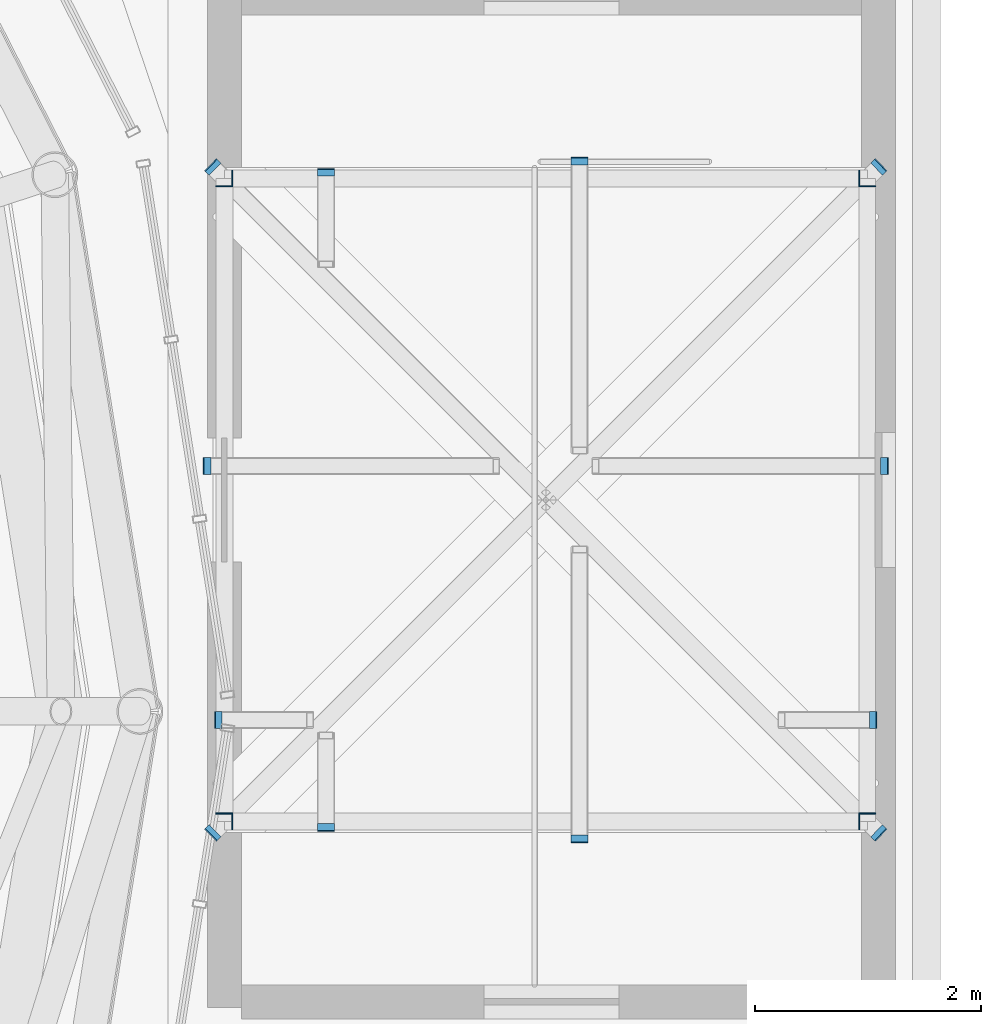
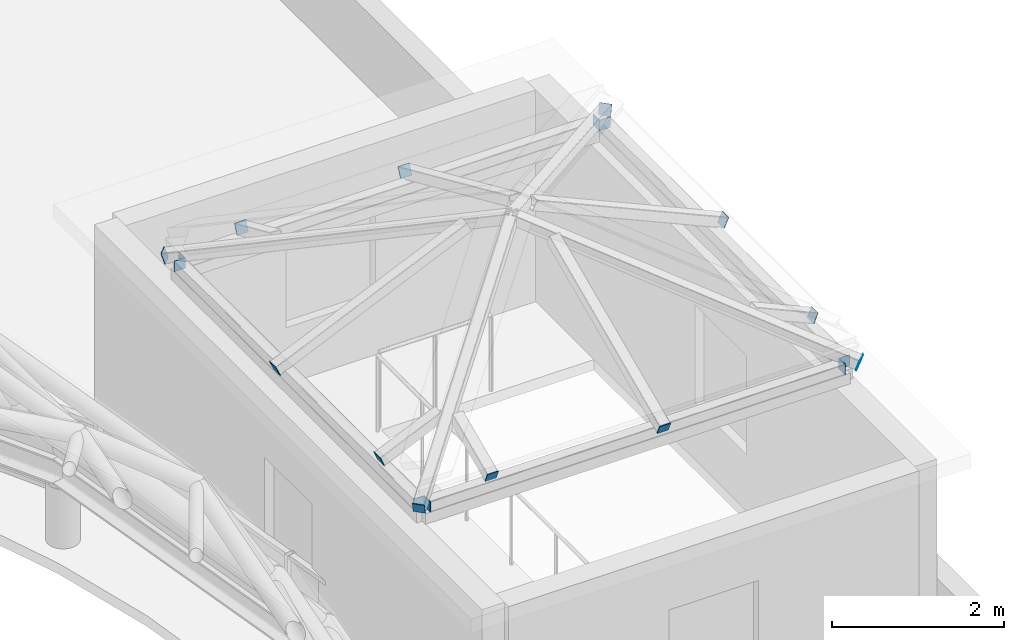
# One storey, part 64 of 69: 20 discrete accessories.
"""IFC4 building model written with IfcOpenShell, lengths in metres."""

from ifc_helpers import new_model, si_unit, direction, frame, origin, origin_2d, place, context, subcontext, project, spatial, rectangle, extrude, material, material_profile, profile_set, type_object, element, save


model = new_model("IFC4")

# Units and contexts
model_context = context("Model", 3, precision=1e-05, world=origin(), true_north=direction((0.0, 1.0)))
body_context = subcontext(model_context, "Body", "Model", "MODEL_VIEW")
ifc_project = project(units=[si_unit("LENGTHUNIT", "METRE"), si_unit("AREAUNIT", "SQUARE_METRE"), si_unit("VOLUMEUNIT", "CUBIC_METRE"), si_unit("PLANEANGLEUNIT", "RADIAN"), si_unit("MASSUNIT", "GRAM", prefix="KILO")], contexts=[model_context])

# Site, building, storey
site_placement = place(None, origin())
site = spatial("IfcSite", under=ifc_project, at=site_placement, CompositionType="ELEMENT")
building_placement = place(site_placement, origin())
building = spatial("IfcBuilding", under=site, at=building_placement, Name="Kallimachos Central Library", CompositionType="ELEMENT")
storey_placement = place(building_placement, frame((0.0, 0.0, 23.39990234375)))
storey = spatial("IfcBuildingStorey", under=building, at=storey_placement, Name="L05", CompositionType="ELEMENT", Elevation=23.39990234375)

# Discrete accessories
ifc_material = material(Name="Steel S355J2", Category="steel")
ifc_material_profile = material_profile(ifc_material, rectangle(XDim=0.14990234375, YDim=0.14990234375, at=origin_2d()), Name="End cap plate 10, 150x150")
ifc_profile_set = profile_set([ifc_material_profile], Name="Steel S355J2")
discrete_accessory_type = type_object("IfcDiscreteAccessoryType", Name="End cap plate 10, 150x150", PredefinedType="BRACKET", material=ifc_profile_set)
for number, where, z_axis, x_axis, name in (
    (1, (104.215087890625, 103.425048828125, 3.425048828125), (1.0, 0.0, 0.0), (0.0, 1.0, 0.0), "End cap plate"),
    (2, (109.77490234375, 103.425048828125, 3.425048828125), (1.0, 0.0, 0.0), (0.0, 1.0, 0.0), "End cap plate"),
    (3, (104.215087890625, 109.125, 3.425048828125), (1.0, 0.0, 0.0), (0.0, 1.0, 0.0), "End cap plate"),
    (4, (109.77490234375, 109.125, 3.425048828125), (1.0, 0.0, 0.0), (0.0, 1.0, 0.0), "End cap plate"),
    (5, (104.14990234375, 103.489990234375, 3.425048828125), (0.0, 1.0, 0.0), (-1.0, 0.0, 0.0), "End cap plate"),
    (6, (104.14990234375, 109.050048828125, 3.425048828125), (0.0, 1.0, 0.0), (-1.0, 0.0, 0.0), "End cap plate"),
    (7, (109.85009765625, 103.489990234375, 3.425048828125), (0.0, 1.0, 0.0), (-1.0, 0.0, 0.0), "End cap plate"),
    (8, (109.85009765625, 109.050048828125, 3.425048828125), (0.0, 1.0, 0.0), (-1.0, 0.0, 0.0), "End cap plate"),
):
    element("IfcDiscreteAccessory", number, at=place(storey_placement, frame(where, z_axis=z_axis, x_axis=x_axis)), inside=storey, type_object=discrete_accessory_type, Name=name, PredefinedType="BRACKET", context=body_context, shape_type="SweptSolid", body=[
        extrude(rectangle(XDim=0.14990234375, YDim=0.14990234375, at=origin_2d()), origin(), (0.0, 0.0, 1.0), 0.010009765625),
    ])
discrete_accessory_1_placement = place(storey_placement, frame((105.050048828125, 103.365966796875, 3.555908203125), z_axis=(0.0, 0.91785703596, 0.396911150685), x_axis=(-1.0, 0.0, 0.0)))
element("IfcDiscreteAccessory", 9, at=discrete_accessory_1_placement, inside=storey, type_object=discrete_accessory_type, Name="End cap plate", PredefinedType="BRACKET", context=body_context, shape_type="SweptSolid", body=[
    extrude(rectangle(XDim=0.14990234375, YDim=0.14990234375, at=origin_2d()), origin(), (0.0, 0.0, 1.0), 0.009765625),
])
discrete_accessory_2_placement = place(storey_placement, frame((107.300048828125, 103.265869140625, 3.51123046875), z_axis=(0.0, 0.908676843963, 0.417500171551), x_axis=(-1.0, 0.0, 0.0)))
element("IfcDiscreteAccessory", 10, at=discrete_accessory_2_placement, inside=storey, type_object=discrete_accessory_type, Name="End cap plate", PredefinedType="BRACKET", context=body_context, shape_type="SweptSolid", body=[
    extrude(rectangle(XDim=0.14990234375, YDim=0.14990234375, at=origin_2d()), origin(), (0.0, 0.0, 1.0), 0.010009765625),
])
discrete_accessory_3_placement = place(storey_placement, frame((105.050048828125, 109.18408203125, 3.555908203125), z_axis=(0.0, -0.91785703596, 0.396911150685), x_axis=(1.0, 0.0, 0.0)))
element("IfcDiscreteAccessory", 11, at=discrete_accessory_3_placement, inside=storey, type_object=discrete_accessory_type, Name="End cap plate", PredefinedType="BRACKET", context=body_context, shape_type="SweptSolid", body=[
    extrude(rectangle(XDim=0.14990234375, YDim=0.14990234375, at=origin_2d()), origin(), (0.0, 0.0, 1.0), 0.009765625),
])
discrete_accessory_4_placement = place(storey_placement, frame((107.300048828125, 109.2841796875, 3.51123046875), z_axis=(0.0, -0.912818251895, 0.408366060058), x_axis=(1.0, 0.0, 0.0)))
element("IfcDiscreteAccessory", 12, at=discrete_accessory_4_placement, inside=storey, type_object=discrete_accessory_type, Name="End cap plate", PredefinedType="BRACKET", context=body_context, shape_type="SweptSolid", body=[
    extrude(rectangle(XDim=0.14990234375, YDim=0.14990234375, at=origin_2d()), origin(), (0.0, 0.0, 1.0), 0.01025390625),
])
for number, where, z_axis, x_axis, name in (
    (13, (104.0908203125, 104.324951171875, 3.555908203125), (0.921635375138, 0.0, 0.388057000058), (0.0, 1.0, 0.0), "End cap plate"),
    (14, (103.990966796875, 106.574951171875, 3.51123046875), (0.908676843963, 0.0, 0.417500171551), (0.0, 1.0, 0.0), "End cap plate"),
    (15, (109.9091796875, 104.324951171875, 3.555908203125), (-0.921635375138, 0.0, 0.388057000058), (0.0, -1.0, 0.0), "End cap plate"),
    (16, (110.009033203125, 106.574951171875, 3.51123046875), (-0.908676843963, 0.0, 0.417500171551), (0.0, -1.0, 0.0), "End cap plate"),
    (17, (104.043212890625, 103.318359375, 3.484375), (0.682723788732, 0.658340796277, 0.316978901911), (-0.694135570584, 0.719844295421, 0.0), "End cap plate"),
    (18, (109.956787109375, 103.318359375, 3.484375), (-0.682723788732, 0.658340796277, 0.316978901911), (-0.694135570584, -0.719844295421, 0.0), "End cap plate"),
    (19, (104.043212890625, 109.231689453125, 3.484375), (0.682723788732, -0.658340796277, 0.316978901911), (0.694135570584, 0.719844295421, 0.0), "End cap plate"),
    (20, (109.956787109375, 109.231689453125, 3.484375), (-0.682723788732, -0.658340796277, 0.316978901911), (0.694135570584, -0.719844295421, 0.0), "End cap plate"),
):
    element("IfcDiscreteAccessory", number, at=place(storey_placement, frame(where, z_axis=z_axis, x_axis=x_axis)), inside=storey, type_object=discrete_accessory_type, Name=name, PredefinedType="BRACKET", context=body_context, shape_type="SweptSolid", body=[
        extrude(rectangle(XDim=0.14990234375, YDim=0.14990234375, at=origin_2d()), origin(), (0.0, 0.0, 1.0), 0.010009765625),
    ])

save(model, "model.ifc")
